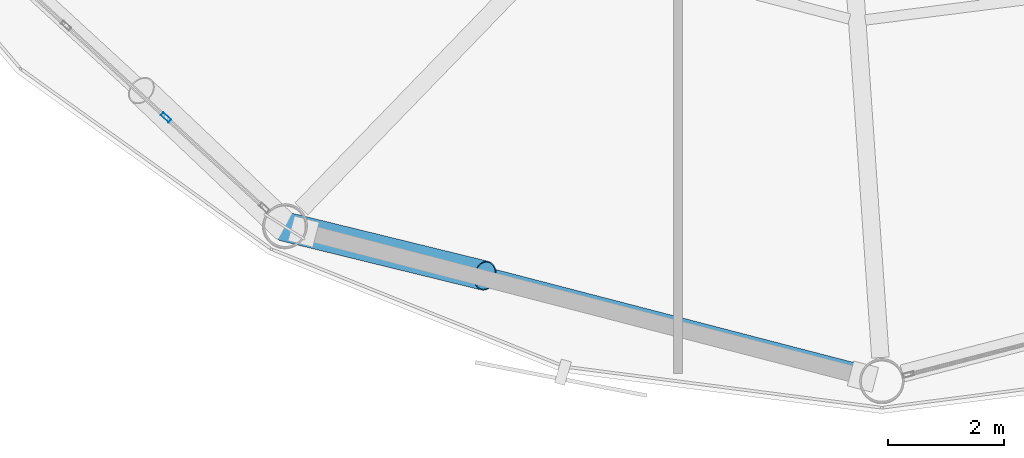
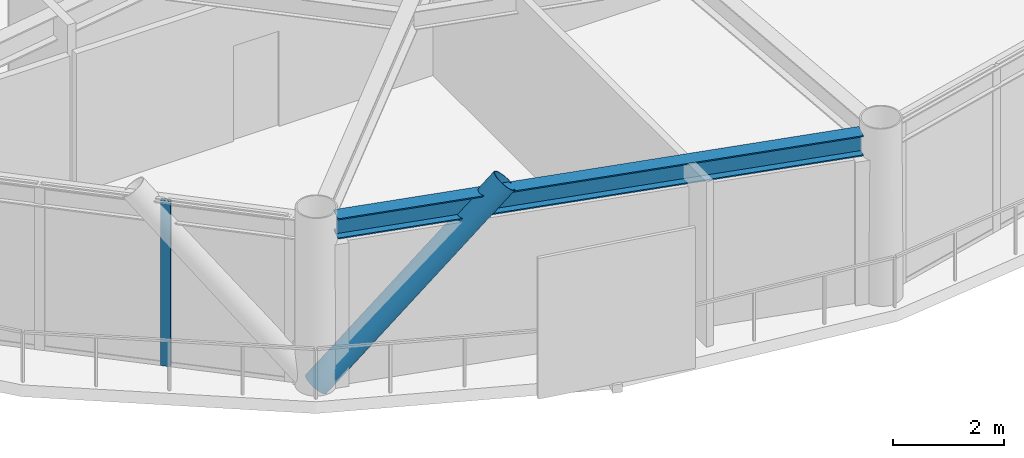
# One storey, part 3 of 25: 2 members, 1 beam, 1 element without a shape of its own.
"""IFC4 building model written with IfcOpenShell, lengths in metres."""

import ifcopenshell
import ifcopenshell.guid

model = None  # the IFC model being written
_history = None  # IfcOwnerHistory: only IFC2X3 demands one
_inside = {}  # id of a spatial element -> (the spatial element, [elements in it])
_under = {}  # id of a project, library or spatial element -> (it, [spatial elements below it])
_declared = {}  # id of a project -> (the project, [libraries it declares])
_typed = {}  # id of a type object -> (the type object, [elements of that type])
_made_of = {}  # id of a material, layer set ... -> (it, [elements and type objects made of it])


def new_model(schema):
    """Start an empty IFC model of exactly this schema.

    Asked for "IFC4X3", IfcOpenShell would pick the latest addendum, in which some entities
    have other attributes; the version numbers below select the first issue.
    IFC2X3 requires an IfcOwnerHistory on every rooted entity: one is made here for all.
    """
    global model, _history
    if schema == "IFC4X3":
        model = ifcopenshell.file(schema_version=(4, 3, 0, 0))
    else:
        model = ifcopenshell.file(schema=schema)
    _inside.clear()
    _under.clear()
    _declared.clear()
    _typed.clear()
    _made_of.clear()
    _history = None
    if model.schema == "IFC2X3":
        org = make("IfcOrganization", Name="unknown")
        user = make(
            "IfcPersonAndOrganization",
            ThePerson=make("IfcPerson", FamilyName="unknown"),
            TheOrganization=org,
        )
        app = make(
            "IfcApplication",
            ApplicationDeveloper=org,
            Version="unknown",
            ApplicationFullName="unknown",
            ApplicationIdentifier="unknown",
        )
        _history = make(
            "IfcOwnerHistory",
            OwningUser=user,
            OwningApplication=app,
            ChangeAction="ADDED",
            CreationDate=0,
        )
    return model


def make(cls, **values):
    """One entity of the class cls with the attributes given. An attribute that is None is left unset."""
    return model.create_entity(
        cls, **{name: value for name, value in values.items() if value is not None}
    )


def rooted(cls, **values):
    """An entity with a GlobalId (a new one), such as an element, a storey or a relation."""
    return make(cls, GlobalId=ifcopenshell.guid.new(), OwnerHistory=_history, **values)


def si_unit(unit_type, name, prefix=None):
    """IfcSIUnit, for example si_unit("LENGTHUNIT", "METRE", prefix="MILLI")."""
    return make("IfcSIUnit", UnitType=unit_type, Prefix=prefix, Name=name)


def assignment(units):
    """IfcUnitAssignment: the units of a project."""
    return None if units is None else make("IfcUnitAssignment", Units=units)


def point(xyz):
    """IfcCartesianPoint."""
    return None if xyz is None else make("IfcCartesianPoint", Coordinates=xyz)


def direction(xyz):
    """IfcDirection."""
    return None if xyz is None else make("IfcDirection", DirectionRatios=xyz)


def frame(location, z_axis=None, x_axis=None):
    """IfcAxis2Placement3D, a coordinate frame: its origin and axes. An axis left out is left unset."""
    return make(
        "IfcAxis2Placement3D",
        Location=point(location),
        Axis=direction(z_axis),
        RefDirection=direction(x_axis),
    )


def frame_2d(location, x_axis=None):
    """IfcAxis2Placement2D, a coordinate frame in the plane: its origin and x axis."""
    return make(
        "IfcAxis2Placement2D", Location=point(location), RefDirection=direction(x_axis)
    )


def origin():
    """The frame at (0, 0, 0) with its axes left unset."""
    return frame((0.0, 0.0, 0.0))


def origin_2d():
    """The frame at (0, 0) in the plane with its x axis left unset."""
    return frame_2d((0.0, 0.0))


def place(relative_to, where):
    """IfcLocalPlacement: puts the frame where relative to a parent placement (None: the world)."""
    return make(
        "IfcLocalPlacement", PlacementRelTo=relative_to, RelativePlacement=where
    )


def context(
    kind, dimensions, precision=None, world=None, true_north=None, identifier=None
):
    """IfcGeometricRepresentationContext, for example the 3D "Model" context."""
    return make(
        "IfcGeometricRepresentationContext",
        ContextIdentifier=identifier,
        ContextType=kind,
        CoordinateSpaceDimension=dimensions,
        Precision=precision,
        WorldCoordinateSystem=world,
        TrueNorth=true_north,
    )


def subcontext(parent, identifier, kind, view, scale=None):
    """IfcGeometricRepresentationSubContext, for example "Body" below "Model"."""
    return make(
        "IfcGeometricRepresentationSubContext",
        ContextIdentifier=identifier,
        ContextType=kind,
        ParentContext=parent,
        TargetScale=scale,
        TargetView=view,
    )


def project(units=None, contexts=None):
    """IfcProject with its units and contexts."""
    return rooted(
        "IfcProject",
        Name="project",
        RepresentationContexts=contexts,
        UnitsInContext=assignment(units),
    )


def spatial(cls, under=None, at=None, **own):
    """A site, building, storey or space (cls), placed at a placement, below another one or the project."""
    s = rooted(cls, ObjectPlacement=at, **own)
    if under is not None:
        _under.setdefault(under.id(), (under, []))[1].append(s)
    return s


def profile(cls, at=None, kind="AREA", **sizes):
    """A parametric profile (cls). Its sizes go by their IFC names, for example OverallWidth=200.0."""
    return make(cls, ProfileType=kind, Position=at, **sizes)


def hollow_rectangle(**sizes):
    """IfcRectangleHollowProfileDef."""
    return profile("IfcRectangleHollowProfileDef", **sizes)


def hollow_circle(**sizes):
    """IfcCircleHollowProfileDef."""
    return profile("IfcCircleHollowProfileDef", **sizes)


def i_section(**sizes):
    """IfcIShapeProfileDef."""
    return profile("IfcIShapeProfileDef", **sizes)


def extrude(swept, where, along, depth):
    """IfcExtrudedAreaSolid: the profile swept, set in the frame where, extruded along a direction by depth."""
    return make(
        "IfcExtrudedAreaSolid",
        SweptArea=swept,
        Position=where,
        ExtrudedDirection=direction(along),
        Depth=depth,
    )


def shape(context_of_items, identifier, shape_type, items):
    """IfcShapeRepresentation: the items that make up one representation, for example the "Body"."""
    return make(
        "IfcShapeRepresentation",
        ContextOfItems=context_of_items,
        RepresentationIdentifier=identifier,
        RepresentationType=shape_type,
        Items=items,
    )


def material(Name=None, Category=None):
    """IfcMaterial."""
    return make("IfcMaterial", Name=Name, Category=Category)


def layer(
    of_material, thickness, ventilated=None, Name=None, Category=None, Priority=None
):
    """IfcMaterialLayer: one layer of a wall or slab, of a material (None: an air gap)."""
    return make(
        "IfcMaterialLayer",
        Material=of_material,
        LayerThickness=thickness,
        IsVentilated=ventilated,
        Name=Name,
        Category=Category,
        Priority=Priority,
    )


def layer_set(layers, Name=None):
    """IfcMaterialLayerSet."""
    return make("IfcMaterialLayerSet", MaterialLayers=layers, LayerSetName=Name)


def material_profile(
    of_material, cross_section, Name=None, Category=None, Priority=None
):
    """IfcMaterialProfile: a cross section and its material."""
    return make(
        "IfcMaterialProfile",
        Name=Name,
        Material=of_material,
        Profile=cross_section,
        Priority=Priority,
        Category=Category,
    )


def profile_set(profiles, Name=None, composite=None):
    """IfcMaterialProfileSet."""
    return make(
        "IfcMaterialProfileSet",
        Name=Name,
        MaterialProfiles=profiles,
        CompositeProfile=composite,
    )


def made_of(thing, what):
    """Note that an element or type object is made of a material, layer set ...; save() writes the relation."""
    if what is not None:
        _made_of.setdefault(what.id(), (what, []))[1].append(thing)
    return thing


def type_object(cls, material=None, **own):
    """A type object (cls), such as IfcWallType, which elements share."""
    return made_of(rooted(cls, **own), material)


def element(
    cls,
    number,
    at=None,
    inside=None,
    cuts=None,
    type_object=None,
    material=None,
    context=None,
    identifier="Body",
    shape_type=None,
    held_by="IfcProductDefinitionShape",
    body=None,
    shapes=None,
    **own,
):
    """One element of the class cls, such as IfcWall. Its Tag is "e" and its number.

    at: its placement. inside: the storey or other place that contains it. cuts: it is an
    opening in that element (IfcRelVoidsElement). A single representation is given by context,
    identifier, shape_type and body (its items); several are given by shapes. held_by: the class
    of the entity that holds the representations. save() writes the other relations.
    """
    e = rooted(cls, Tag="e%d" % number, ObjectPlacement=at, **own)
    if body is not None:
        shapes = [shape(context, identifier, shape_type, body)]
    if shapes is not None:
        e.Representation = make(held_by, Representations=shapes)
    if inside is not None:
        _inside.setdefault(inside.id(), (inside, []))[1].append(e)
    if cuts is not None:
        rooted(
            "IfcRelVoidsElement", RelatingBuildingElement=cuts, RelatedOpeningElement=e
        )
    if type_object is not None:
        _typed.setdefault(type_object.id(), (type_object, []))[1].append(e)
    return made_of(e, material)


def aggregate(whole, parts):
    """IfcRelAggregates: a whole, such as a stair, and the parts it consists of."""
    return rooted("IfcRelAggregates", RelatingObject=whole, RelatedObjects=parts)


def save(model, path):
    """Write the relations noted so far, then the file.

    IfcRelAggregates (storeys below a building ...), IfcRelContainedInSpatialStructure (elements
    in a storey), IfcRelDefinesByType, IfcRelAssociatesMaterial and IfcRelDeclares: one each for
    every whole, place, type object, material and project.
    """
    for whole, parts in _under.values():
        aggregate(whole, parts)
    for where, things in _inside.values():
        rooted(
            "IfcRelContainedInSpatialStructure",
            RelatedElements=things,
            RelatingStructure=where,
        )
    for kind, things in _typed.values():
        rooted("IfcRelDefinesByType", RelatedObjects=things, RelatingType=kind)
    for what, things in _made_of.values():
        rooted("IfcRelAssociatesMaterial", RelatedObjects=things, RelatingMaterial=what)
    for by, libraries in _declared.values():
        rooted("IfcRelDeclares", RelatingContext=by, RelatedDefinitions=libraries)
    model.write(path)


model = new_model("IFC4")

# Units and contexts
model_context = context("Model", 3, precision=1e-05, world=origin(), true_north=direction((0.0, 1.0)))
body_context = subcontext(model_context, "Body", "Model", "MODEL_VIEW")
ifc_project = project(units=[si_unit("LENGTHUNIT", "METRE"), si_unit("AREAUNIT", "SQUARE_METRE"), si_unit("VOLUMEUNIT", "CUBIC_METRE"), si_unit("PLANEANGLEUNIT", "RADIAN"), si_unit("MASSUNIT", "GRAM", prefix="KILO")], contexts=[model_context])

# Site, building, storey
site_placement = place(None, origin())
site = spatial("IfcSite", under=ifc_project, at=site_placement, CompositionType="ELEMENT")
building_placement = place(site_placement, origin())
building = spatial("IfcBuilding", under=site, at=building_placement, Name="Varnakorn Sky Granary", CompositionType="ELEMENT")
storey_placement = place(building_placement, frame((0.0, 0.0, 157.800048828125)))
storey = spatial("IfcBuildingStorey", under=building, at=storey_placement, Name="L39", CompositionType="ELEMENT", Elevation=157.800048828125)

# Beam
ifc_material_1 = material(Name="Steel S355JR", Category="steel")
ifc_material_profile_1 = material_profile(ifc_material_1, i_section(OverallWidth=0.300048828125, OverallDepth=0.449951171875, WebThickness=0.013916015625, FlangeThickness=0.02587890625, at=origin_2d()), Name="HE 450 B")
ifc_profile_set_1 = profile_set([ifc_material_profile_1], Name="Steel S355JR")
beam_type = type_object("IfcBeamType", Name="BM-SPD-Z3", PredefinedType="SPANDREL", material=ifc_profile_set_1)
beam_placement = place(storey_placement, frame((-11.369873046875, -16.3818359375, 3.4150390625), z_axis=(0.967893589884, -0.251360296511, 0.0), x_axis=(0.251360296511, 0.967893589884, 0.0)))
element("IfcBeam", 1, at=beam_placement, inside=storey, type_object=beam_type, Name="Perimeter Spandrel Ring Beam RB09 L39", PredefinedType="SPANDREL", context=body_context, shape_type="SweptSolid", body=[
    extrude(i_section(OverallWidth=0.300048828125, OverallDepth=0.449951171875, WebThickness=0.013916015625, FlangeThickness=0.02587890625, at=origin_2d()), origin(), (0.0, 0.0, 1.0), 9.831298828125),
])

# Curtain wall, member
ifc_material_2 = material(Name="Anodised Bronze Aluminium Alloy 6063-T6", Category="aluminium")
ifc_layer = layer(ifc_material_2, 0.179931640625, Name="Anodised Bronze Aluminium Alloy 6063-T6")
ifc_layer_set = layer_set([ifc_layer], Name="Anodised Bronze Aluminium Alloy 6063-T6")
curtain_wall_type = type_object("IfcCurtainWallType", Name="CW-FRM-2", PredefinedType="USERDEFINED", material=ifc_layer_set)
curtain_wall_placement = place(storey_placement, origin())
curtain_wall = element("IfcCurtainWall", 2, at=curtain_wall_placement, inside=storey, type_object=curtain_wall_type, Name="Unitised Curtain Wall CW4 CW-L39-B08", ObjectType="CURTAIN WALL", PredefinedType="USERDEFINED")
ifc_material_profile_2 = material_profile(ifc_material_2, hollow_rectangle(XDim=0.070068359375, YDim=0.18505859375, WallThickness=0.00390625, at=origin_2d()), Name="ALU MULL 70x185")
ifc_profile_set_2 = profile_set([ifc_material_profile_2], Name="Anodised Bronze Aluminium Alloy 6063-T6")
member_type_1 = type_object("IfcMemberType", Name="CW-FRM-2-MULL", PredefinedType="MULLION", material=ifc_profile_set_2)
member_1_placement = place(storey_placement, frame((-13.797119140625, -14.456787109375, 0.0), z_axis=(0.0, 0.0, 1.0), x_axis=(-0.676758169844, -0.73620539223, 0.0)))
member_1 = element("IfcMember", 3, at=member_1_placement, type_object=member_type_1, Name="CW4 mullion 2", PredefinedType="MULLION", context=body_context, shape_type="SweptSolid", body=[
    extrude(hollow_rectangle(XDim=0.070068359375, YDim=0.18505859375, WallThickness=0.00390625, at=origin_2d()), origin(), (0.0, 0.0, 1.0), 3.639892578125),
])
aggregate(curtain_wall, [member_1])

# Member
ifc_material_3 = material(Name="Steel S460M", Category="steel")
ifc_material_profile_3 = material_profile(ifc_material_3, hollow_circle(Radius=0.25390625, WallThickness=0.01806640625, at=origin_2d()), Name="CHS 508x18")
ifc_profile_set_3 = profile_set([ifc_material_profile_3], Name="Steel S460M")
member_type_2 = type_object("IfcMemberType", Name="MB-DIAG-T2", PredefinedType="BRACE", material=ifc_profile_set_3)
member_2_placement = place(storey_placement, frame((-11.757568359375, -16.33154296875, 0.0), z_axis=(0.663323897557, -0.162525412652, 0.730470326004), x_axis=(0.237977504547, 0.971270666359, 0.0)))
element("IfcMember", 4, at=member_2_placement, inside=storey, type_object=member_type_2, Name="Perimeter CHS Diagrid Brace DG09 L39", PredefinedType="BRACE", context=body_context, shape_type="SweptSolid", body=[
    extrude(hollow_circle(Radius=0.25390625, WallThickness=0.01806640625, at=origin_2d()), origin(), (0.0, 0.0, 1.0), 5.1884765625),
])

save(model, "model.ifc")
